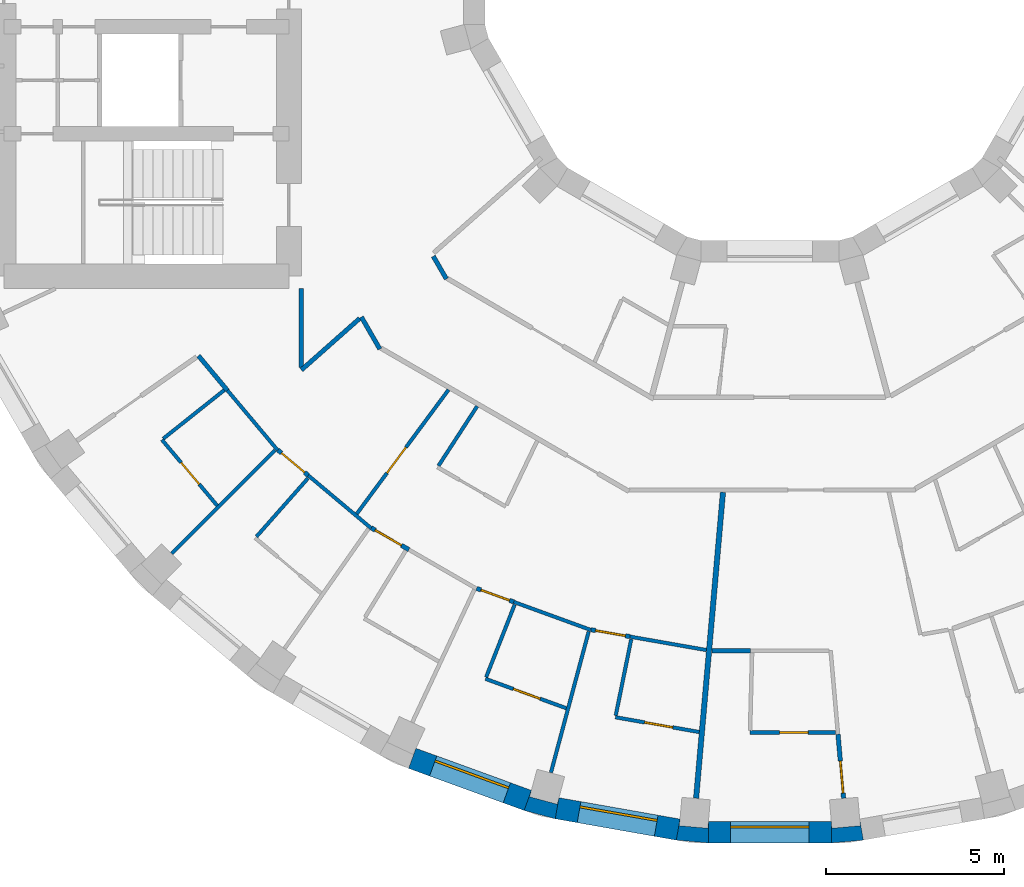
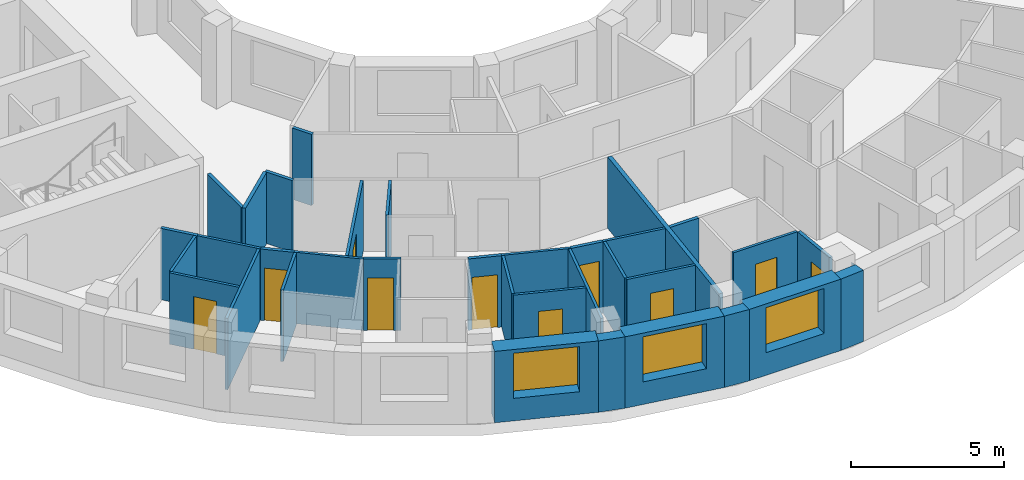
# One storey, part 4 of 14: 34 walls, 10 doors, 3 windows, 13 openings.
"""IFC4 building model written with IfcOpenShell, lengths in metres."""

from ifc_helpers import new_model, si_unit, direction, frame, frame_2d, origin, place, context, subcontext, project, spatial, polyline, rectangle, outline, extrude, material, layer, layer_set, type_object, element, fill, save


model = new_model("IFC4")

# Units and contexts
model_context = context("Model", 3, precision=1e-05, world=origin(), true_north=direction((0.0, 1.0)))
body_context = subcontext(model_context, "Body", "Model", "MODEL_VIEW")
ifc_project = project(units=[si_unit("LENGTHUNIT", "METRE"), si_unit("AREAUNIT", "SQUARE_METRE"), si_unit("VOLUMEUNIT", "CUBIC_METRE"), si_unit("PLANEANGLEUNIT", "RADIAN"), si_unit("MASSUNIT", "GRAM", prefix="KILO")], contexts=[model_context])

# Site, building, storey
site_placement = place(None, origin())
site = spatial("IfcSite", under=ifc_project, at=site_placement, CompositionType="ELEMENT")
building_placement = place(site_placement, origin())
building = spatial("IfcBuilding", under=site, at=building_placement, Name="Saqina Gate Tower", CompositionType="ELEMENT")
storey_placement = place(building_placement, frame((0.0, 0.0, 210.300048828125)))
storey = spatial("IfcBuildingStorey", under=building, at=storey_placement, Name="L60", CompositionType="ELEMENT", Elevation=210.300048828125)

# Walls
ifc_material_1 = material(Name="Brick masonry (buff)", Category="masonry")
wall_type_1 = type_object("IfcWallType", Name="BRICK PIER COPING BUFF", PredefinedType="SOLIDWALL", material=ifc_material_1)
wall_1_placement = place(storey_placement, origin())
element("IfcWall", 1, at=wall_1_placement, inside=storey, type_object=wall_type_1, Name="Pier cap L60 column 26", PredefinedType="SOLIDWALL", context=body_context, shape_type="SweptSolid", body=[
    extrude(outline(polyline([(-6.0234375, -24.22705078125), (-5.919189453125, -23.635986328125), (-5.967529296875, -23.81689453125), (-6.740478515625, -23.610107421875), (-6.69189453125, -23.428955078125), (-6.897216796875, -23.992919921875), (-6.0234375, -24.22705078125)])), origin(), (0.0, 0.0, 1.0), 2.849853515625),
])
wall_2_placement = place(storey_placement, origin())
element("IfcWall", 2, at=wall_2_placement, inside=storey, type_object=wall_type_1, Name="Pier cap L60 column 27", PredefinedType="SOLIDWALL", context=body_context, shape_type="SweptSolid", body=[
    extrude(outline(polyline([(-2.6259765625, -24.825927734375), (-1.724853515625, -24.90478515625), (-1.724853515625, -24.304931640625), (-1.7412109375, -24.491455078125), (-2.5380859375, -24.421630859375), (-2.521728515625, -24.235107421875), (-2.6259765625, -24.825927734375)])), origin(), (0.0, 0.0, 1.0), 2.849853515625),
])
wall_3_placement = place(storey_placement, origin())
element("IfcWall", 3, at=wall_3_placement, inside=storey, type_object=wall_type_1, Name="Pier cap L60 column 28", PredefinedType="SOLIDWALL", context=body_context, shape_type="SweptSolid", body=[
    extrude(outline(polyline([(1.724853515625, -24.90478515625), (2.6259765625, -24.825927734375), (2.521728515625, -24.235107421875), (2.5380859375, -24.421630859375), (1.7412109375, -24.491455078125), (1.724853515625, -24.304931640625), (1.724853515625, -24.90478515625)])), origin(), (0.0, 0.0, 1.0), 2.849853515625),
])

# Wall, opening, window
ifc_material_2 = material(Name="Brick masonry (buff)", Category="masonry")
ifc_layer_1 = layer(ifc_material_2, 0.60009765625)
ifc_layer_set_1 = layer_set([ifc_layer_1], Name="FW-BRICK-BUFF")
wall_type_2 = type_object("IfcWallType", Name="FW-BRICK-BUFF", PredefinedType="SOLIDWALL", material=ifc_layer_set_1)
wall_4_placement = place(storey_placement, frame((-10.0361328125, -22.531005859375, 0.0), z_axis=(0.0, 0.0, 1.0), x_axis=(0.93968799822, -0.342032843455, 0.0)))
wall_4 = element("IfcWall", 4, at=wall_4_placement, inside=storey, type_object=wall_type_2, Name="Facade wall L60 facet 25", PredefinedType="SOLIDWALL", context=body_context, shape_type="SweptSolid", body=[
    extrude(rectangle(XDim=3.44970703125, YDim=0.60009765625, at=frame_2d((1.724853515625, 0.0))), origin(), (0.0, 0.0, 1.0), 2.849853515625),
])
opening_1_placement = place(wall_4_placement, frame((0.625, 0.0, 0.89990234375)))
opening_1 = element("IfcOpeningElement", 5, at=opening_1_placement, cuts=wall_4, Name="Opening G18-W14", PredefinedType="OPENING", context=body_context, shape_type="SweptSolid", body=[
    extrude(rectangle(XDim=2.199951171875, YDim=1.800048828125, at=frame_2d((1.10009765625, 0.89990234375))), frame((0.0, 0.31201171875, 0.0), z_axis=(0.0, -1.0, 0.0), x_axis=(1.0, 0.0, 0.0)), (0.0, 0.0, 1.0), 0.6240234375),
])
ifc_material_3 = material(Name="Aluminium glazing", Category="aluminium")
window_type = type_object("IfcWindowType", Name="WN-C", PartitioningType="SINGLE_PANEL", PredefinedType="WINDOW", material=ifc_material_3)
window_1_placement = place(opening_1_placement, origin())
window_1 = element("IfcWindow", 6, at=window_1_placement, inside=storey, type_object=window_type, Name="Window L60 facet 25", OverallHeight=1.800048828125, OverallWidth=2.199951171875, PartitioningType="SINGLE_PANEL", PredefinedType="WINDOW", context=body_context, shape_type="SweptSolid", body=[
    extrude(rectangle(XDim=2.199951171875, YDim=1.800048828125, at=frame_2d((1.10009765625, 0.89990234375))), frame((0.0, 0.179931640625, 0.0), z_axis=(0.0, -1.0, 0.0), x_axis=(1.0, 0.0, 0.0)), (0.0, 0.0, 1.0), 0.06005859375),
])
fill(opening_1, window_1)

wall_5_placement = place(storey_placement, frame((-5.97119140625, -23.931640625, 0.0), z_axis=(0.0, 0.0, 1.0), x_axis=(0.984814892183, -0.173607684551, 0.0)))
wall_5 = element("IfcWall", 7, at=wall_5_placement, inside=storey, type_object=wall_type_2, Name="Facade wall L60 facet 26", PredefinedType="SOLIDWALL", context=body_context, shape_type="SweptSolid", body=[
    extrude(rectangle(XDim=3.44970703125, YDim=0.60009765625, at=frame_2d((1.724853515625, 0.0))), origin(), (0.0, 0.0, 1.0), 2.849853515625),
])
opening_2_placement = place(wall_5_placement, frame((0.625, 0.0, 0.89990234375)))
opening_2 = element("IfcOpeningElement", 8, at=opening_2_placement, cuts=wall_5, Name="Opening G18-W15", PredefinedType="OPENING", context=body_context, shape_type="SweptSolid", body=[
    extrude(rectangle(XDim=2.199951171875, YDim=1.800048828125, at=frame_2d((1.10009765625, 0.89990234375))), frame((0.0, 0.31201171875, 0.0), z_axis=(0.0, -1.0, 0.0), x_axis=(1.0, 0.0, 0.0)), (0.0, 0.0, 1.0), 0.6240234375),
])
window_2_placement = place(opening_2_placement, origin())
window_2 = element("IfcWindow", 9, at=window_2_placement, inside=storey, type_object=window_type, Name="Window L60 facet 26", OverallHeight=1.800048828125, OverallWidth=2.199951171875, PartitioningType="SINGLE_PANEL", PredefinedType="WINDOW", context=body_context, shape_type="SweptSolid", body=[
    extrude(rectangle(XDim=2.199951171875, YDim=1.800048828125, at=frame_2d((1.10009765625, 0.89990234375))), frame((0.0, 0.179931640625, 0.0), z_axis=(0.0, -1.0, 0.0), x_axis=(1.0, 0.0, 0.0)), (0.0, 0.0, 1.0), 0.06005859375),
])
fill(opening_2, window_2)

wall_6_placement = place(storey_placement, frame((-1.724853515625, -24.60498046875, 0.0), z_axis=(0.0, 0.0, 1.0), x_axis=(1.0, 0.0, 0.0)))
wall_6 = element("IfcWall", 10, at=wall_6_placement, inside=storey, type_object=wall_type_2, Name="Facade wall L60 facet 27", PredefinedType="SOLIDWALL", context=body_context, shape_type="SweptSolid", body=[
    extrude(rectangle(XDim=3.44970703125, YDim=0.60009765625, at=frame_2d((1.724853515625, 0.0))), origin(), (0.0, 0.0, 1.0), 2.849853515625),
])
opening_3_placement = place(wall_6_placement, frame((0.625, 0.0, 0.89990234375)))
opening_3 = element("IfcOpeningElement", 11, at=opening_3_placement, cuts=wall_6, Name="Opening G18-W16", PredefinedType="OPENING", context=body_context, shape_type="SweptSolid", body=[
    extrude(rectangle(XDim=2.199951171875, YDim=1.800048828125, at=frame_2d((1.10009765625, 0.89990234375))), frame((0.0, 0.31201171875, 0.0), z_axis=(0.0, -1.0, 0.0), x_axis=(1.0, 0.0, 0.0)), (0.0, 0.0, 1.0), 0.6240234375),
])
window_3_placement = place(opening_3_placement, origin())
window_3 = element("IfcWindow", 12, at=window_3_placement, inside=storey, type_object=window_type, Name="Window L60 facet 27", OverallHeight=1.800048828125, OverallWidth=2.199951171875, PartitioningType="SINGLE_PANEL", PredefinedType="WINDOW", context=body_context, shape_type="SweptSolid", body=[
    extrude(rectangle(XDim=2.199951171875, YDim=1.800048828125, at=frame_2d((1.10009765625, 0.89990234375))), frame((0.0, 0.179931640625, 0.0), z_axis=(0.0, -1.0, 0.0), x_axis=(1.0, 0.0, 0.0)), (0.0, 0.0, 1.0), 0.06005859375),
])
fill(opening_3, window_3)

# Wall, opening, door
ifc_material_4 = material(Name="Gypsum board on steel studs, 100 mm", Category="steel")
ifc_layer_2 = layer(ifc_material_4, 0.10009765625)
ifc_layer_set_2 = layer_set([ifc_layer_2], Name="PARTITION 100")
wall_type_3 = type_object("IfcWallType", Name="PARTITION 100", PredefinedType="PARTITIONING", material=ifc_layer_set_2)
wall_7_placement = place(storey_placement, frame((-17.06103515625, -13.589111328125, 0.0), z_axis=(0.0, 0.0, 1.0), x_axis=(0.642786493814, -0.766045379446, 0.0)))
wall_7 = element("IfcWall", 13, at=wall_7_placement, inside=storey, type_object=wall_type_3, Name="PARTITION PW3-15", PredefinedType="PARTITIONING", context=body_context, shape_type="SweptSolid", body=[
    extrude(rectangle(XDim=2.41455078125, YDim=0.10009765625, at=frame_2d((1.207275390625, 0.0))), origin(), (0.0, 0.0, 1.0), 2.849853515625),
])
opening_4_placement = place(wall_7_placement, frame((0.832275390625, 0.0, 0.0)))
opening_4 = element("IfcOpeningElement", 14, at=opening_4_placement, cuts=wall_7, Name="Opening G18-D27", PredefinedType="OPENING", context=body_context, shape_type="SweptSolid", body=[
    extrude(rectangle(XDim=0.800048828125, YDim=2.10009765625, at=frame_2d((0.39990234375, 1.050048828125))), frame((0.0, 0.06201171875, 0.0), z_axis=(0.0, -1.0, 0.0), x_axis=(1.0, 0.0, 0.0)), (0.0, 0.0, 1.0), 0.1240234375),
])
ifc_material_5 = material(Name="Timber door leaf, 800 mm", Category="wood")
door_type_1 = type_object("IfcDoorType", Name="DOOR 800 TIMBER", OperationType="SINGLE_SWING_LEFT", PredefinedType="DOOR", material=ifc_material_5)
door_1_placement = place(opening_4_placement, frame((0.800048828125, 0.0, 0.0), z_axis=(0.0, 0.0, 1.0), x_axis=(-1.0, 0.0, 0.0)))
door_1 = element("IfcDoor", 15, at=door_1_placement, inside=storey, type_object=door_type_1, Name="DOOR G18-D27", OperationType="SINGLE_SWING_LEFT", OverallHeight=2.10009765625, OverallWidth=0.800048828125, PredefinedType="DOOR", context=body_context, shape_type="SweptSolid", body=[
    extrude(rectangle(XDim=0.800048828125, YDim=2.10009765625, at=frame_2d((0.39990234375, 1.050048828125))), frame((0.0, 0.02490234375, 0.0), z_axis=(0.0, -1.0, 0.0), x_axis=(1.0, 0.0, 0.0)), (0.0, 0.0, 1.0), 0.050048828125),
])
fill(opening_4, door_1)

# Walls
wall_8_placement = place(storey_placement, frame((-15.221923828125, -12.203857421875, 0.0), z_axis=(0.0, 0.0, 1.0), x_axis=(0.642719704672, -0.766101417063, 0.0)))
element("IfcWall", 16, at=wall_8_placement, inside=storey, type_object=wall_type_3, Name="PARTITION PW3-16", PredefinedType="PARTITIONING", context=body_context, shape_type="SweptSolid", body=[
    extrude(rectangle(XDim=2.1943359375, YDim=0.10009765625, at=frame_2d((1.09716796875, 0.0))), origin(), (0.0, 0.0, 1.0), 2.849853515625),
])
wall_9_placement = place(storey_placement, frame((-12.957275390625, -14.5888671875, 0.0), z_axis=(0.0, 0.0, 1.0), x_axis=(0.766099024104, -0.642722556993, 0.0)))
element("IfcWall", 17, at=wall_9_placement, inside=storey, type_object=wall_type_3, Name="PARTITION PW3-22", PredefinedType="PARTITIONING", context=body_context, shape_type="SweptSolid", body=[
    extrude(rectangle(XDim=2.305419921875, YDim=0.10009765625, at=frame_2d((1.15283203125, 0.0))), origin(), (0.0, 0.0, 1.0), 2.849853515625),
])

# Wall, opening, door
wall_10_placement = place(storey_placement, frame((-7.98095703125, -20.299072265625, 0.0), z_axis=(0.0, 0.0, 1.0), x_axis=(0.939692991858, -0.342019123812, 0.0)))
wall_10 = element("IfcWall", 18, at=wall_10_placement, inside=storey, type_object=wall_type_3, Name="PARTITION PW3-34", PredefinedType="PARTITIONING", context=body_context, shape_type="SweptSolid", body=[
    extrude(rectangle(XDim=2.4140625, YDim=0.10009765625, at=frame_2d((1.20703125, 0.0))), origin(), (0.0, 0.0, 1.0), 2.849853515625),
])
opening_5_placement = place(wall_10_placement, frame((0.832275390625, 0.0, 0.0)))
opening_5 = element("IfcOpeningElement", 19, at=opening_5_placement, cuts=wall_10, Name="Opening G18-D38", PredefinedType="OPENING", context=body_context, shape_type="SweptSolid", body=[
    extrude(rectangle(XDim=0.800048828125, YDim=2.10009765625, at=frame_2d((0.39990234375, 1.050048828125))), frame((0.0, 0.06201171875, 0.0), z_axis=(0.0, -1.0, 0.0), x_axis=(1.0, 0.0, 0.0)), (0.0, 0.0, 1.0), 0.1240234375),
])
door_2_placement = place(opening_5_placement, frame((0.800048828125, 0.0, 0.0), z_axis=(0.0, 0.0, 1.0), x_axis=(-1.0, 0.0, 0.0)))
door_2 = element("IfcDoor", 20, at=door_2_placement, inside=storey, type_object=door_type_1, Name="DOOR G18-D38", OperationType="SINGLE_SWING_LEFT", OverallHeight=2.10009765625, OverallWidth=0.800048828125, PredefinedType="DOOR", context=body_context, shape_type="SweptSolid", body=[
    extrude(rectangle(XDim=0.800048828125, YDim=2.10009765625, at=frame_2d((0.39990234375, 1.050048828125))), frame((0.0, 0.02490234375, 0.0), z_axis=(0.0, -1.0, 0.0), x_axis=(1.0, 0.0, 0.0)), (0.0, 0.0, 1.0), 0.050048828125),
])
fill(opening_5, door_2)

# Wall
wall_11_placement = place(storey_placement, frame((-7.18603515625, -18.140869140625, 0.0), z_axis=(0.0, 0.0, 1.0), x_axis=(0.939651079277, -0.342134256123, 0.0)))
element("IfcWall", 21, at=wall_11_placement, inside=storey, type_object=wall_type_3, Name="PARTITION PW3-35", PredefinedType="PARTITIONING", context=body_context, shape_type="SweptSolid", body=[
    extrude(rectangle(XDim=2.304931640625, YDim=0.10009765625, at=frame_2d((1.15234375, 0.0))), origin(), (0.0, 0.0, 1.0), 2.849853515625),
])

# Wall, opening, door
wall_12_placement = place(storey_placement, frame((-4.3349609375, -21.376953125, 0.0), z_axis=(0.0, 0.0, 1.0), x_axis=(0.984797956456, -0.173703727534, 0.0)))
wall_12 = element("IfcWall", 22, at=wall_12_placement, inside=storey, type_object=wall_type_3, Name="PARTITION PW3-38", PredefinedType="PARTITIONING", context=body_context, shape_type="SweptSolid", body=[
    extrude(rectangle(XDim=2.389404296875, YDim=0.10009765625, at=frame_2d((1.19482421875, 0.0))), origin(), (0.0, 0.0, 1.0), 2.849853515625),
])
opening_6_placement = place(wall_12_placement, frame((0.832275390625, 0.0, 0.0)))
opening_6 = element("IfcOpeningElement", 23, at=opening_6_placement, cuts=wall_12, Name="Opening G18-D40", PredefinedType="OPENING", context=body_context, shape_type="SweptSolid", body=[
    extrude(rectangle(XDim=0.800048828125, YDim=2.10009765625, at=frame_2d((0.39990234375, 1.050048828125))), frame((0.0, 0.06201171875, 0.0), z_axis=(0.0, -1.0, 0.0), x_axis=(1.0, 0.0, 0.0)), (0.0, 0.0, 1.0), 0.1240234375),
])
door_3_placement = place(opening_6_placement, frame((0.800048828125, 0.0, 0.0), z_axis=(0.0, 0.0, 1.0), x_axis=(-1.0, 0.0, 0.0)))
door_3 = element("IfcDoor", 24, at=door_3_placement, inside=storey, type_object=door_type_1, Name="DOOR G18-D40", OperationType="SINGLE_SWING_LEFT", OverallHeight=2.10009765625, OverallWidth=0.800048828125, PredefinedType="DOOR", context=body_context, shape_type="SweptSolid", body=[
    extrude(rectangle(XDim=0.800048828125, YDim=2.10009765625, at=frame_2d((0.39990234375, 1.050048828125))), frame((0.0, 0.02490234375, 0.0), z_axis=(0.0, -1.0, 0.0), x_axis=(1.0, 0.0, 0.0)), (0.0, 0.0, 1.0), 0.050048828125),
])
fill(opening_6, door_3)

# Wall
wall_13_placement = place(storey_placement, frame((-3.926513671875, -19.11474609375, 0.0), z_axis=(0.0, 0.0, 1.0), x_axis=(0.984911838823, -0.173056839643, 0.0)))
element("IfcWall", 25, at=wall_13_placement, inside=storey, type_object=wall_type_3, Name="PARTITION PW3-39", PredefinedType="PARTITIONING", context=body_context, shape_type="SweptSolid", body=[
    extrude(rectangle(XDim=2.1796875, YDim=0.10009765625, at=frame_2d((1.08984375, 0.0))), origin(), (0.0, 0.0, 1.0), 2.849853515625),
])

# Wall, opening, door
wall_14_placement = place(storey_placement, frame((-0.556884765625, -21.804931640625, 0.0), z_axis=(0.0, 0.0, 1.0), x_axis=(1.0, 0.0, 0.0)))
wall_14 = element("IfcWall", 26, at=wall_14_placement, inside=storey, type_object=wall_type_3, Name="PARTITION PW3-42", PredefinedType="PARTITIONING", context=body_context, shape_type="SweptSolid", body=[
    extrude(rectangle(XDim=2.40234375, YDim=0.10009765625, at=frame_2d((1.201171875, 0.0))), origin(), (0.0, 0.0, 1.0), 2.849853515625),
])
opening_7_placement = place(wall_14_placement, frame((0.83251953125, 0.0, 0.0)))
opening_7 = element("IfcOpeningElement", 27, at=opening_7_placement, cuts=wall_14, Name="Opening G18-D43", PredefinedType="OPENING", context=body_context, shape_type="SweptSolid", body=[
    extrude(rectangle(XDim=0.800048828125, YDim=2.10009765625, at=frame_2d((0.39990234375, 1.050048828125))), frame((0.0, 0.06201171875, 0.0), z_axis=(0.0, -1.0, 0.0), x_axis=(1.0, 0.0, 0.0)), (0.0, 0.0, 1.0), 0.1240234375),
])
door_4_placement = place(opening_7_placement, frame((0.800048828125, 0.0, 0.0), z_axis=(0.0, 0.0, 1.0), x_axis=(-1.0, 0.0, 0.0)))
door_4 = element("IfcDoor", 28, at=door_4_placement, inside=storey, type_object=door_type_1, Name="DOOR G18-D43", OperationType="SINGLE_SWING_LEFT", OverallHeight=2.10009765625, OverallWidth=0.800048828125, PredefinedType="DOOR", context=body_context, shape_type="SweptSolid", body=[
    extrude(rectangle(XDim=0.800048828125, YDim=2.10009765625, at=frame_2d((0.39990234375, 1.050048828125))), frame((0.0, 0.02490234375, 0.0), z_axis=(0.0, -1.0, 0.0), x_axis=(1.0, 0.0, 0.0)), (0.0, 0.0, 1.0), 0.050048828125),
])
fill(opening_7, door_4)

# Walls
wall_15_placement = place(storey_placement, frame((-17.02197265625, -13.557861328125, 0.0), z_axis=(0.0, 0.0, 1.0), x_axis=(0.782195530376, 0.623033026621, 0.0)))
element("IfcWall", 29, at=wall_15_placement, inside=storey, type_object=wall_type_3, Name="PARTITION PW3-61", PredefinedType="PARTITIONING", context=body_context, shape_type="SweptSolid", body=[
    extrude(rectangle(XDim=2.187255859375, YDim=0.10009765625, at=frame_2d((1.09375, 0.0))), origin(), (0.0, 0.0, 1.0), 2.849853515625),
])
wall_16_placement = place(storey_placement, frame((-16.78662109375, -16.78662109375, 0.0), z_axis=(0.0, 0.0, 1.0), x_axis=(0.707106781187, 0.707106781187, 0.0)))
element("IfcWall", 30, at=wall_16_placement, inside=storey, type_object=wall_type_3, Name="PARTITION PW3-65", PredefinedType="PARTITIONING", context=body_context, shape_type="SweptSolid", body=[
    extrude(rectangle(XDim=4.09765625, YDim=0.10009765625, at=frame_2d((2.048828125, 0.0))), origin(), (0.0, 0.0, 1.0), 2.849853515625),
])
wall_17_placement = place(storey_placement, frame((-14.408935546875, -16.30859375, 0.0), z_axis=(0.0, 0.0, 1.0), x_axis=(0.661846667472, 0.749639239072, 0.0)))
element("IfcWall", 31, at=wall_17_placement, inside=storey, type_object=wall_type_3, Name="PARTITION PW3-69", PredefinedType="PARTITIONING", context=body_context, shape_type="SweptSolid", body=[
    extrude(rectangle(XDim=2.1884765625, YDim=0.10009765625, at=frame_2d((1.09423828125, 0.0))), origin(), (0.0, 0.0, 1.0), 2.849853515625),
])

# Wall, opening, door
wall_18_placement = place(storey_placement, frame((-11.592529296875, -15.666748046875, 0.0), z_axis=(0.0, 0.0, 1.0), x_axis=(0.594790535758, 0.803880724096, 0.0)))
wall_18 = element("IfcWall", 32, at=wall_18_placement, inside=storey, type_object=wall_type_3, Name="PARTITION PW3-71", PredefinedType="PARTITIONING", context=body_context, shape_type="SweptSolid", body=[
    extrude(rectangle(XDim=4.32958984375, YDim=0.10009765625, at=frame_2d((2.164794921875, 0.0))), origin(), (0.0, 0.0, 1.0), 2.849853515625),
])
opening_8_placement = place(wall_18_placement, frame((1.421142578125, 0.0, 0.0)))
opening_8 = element("IfcOpeningElement", 33, at=opening_8_placement, cuts=wall_18, Name="Opening G18-D30", PredefinedType="OPENING", context=body_context, shape_type="SweptSolid", body=[
    extrude(rectangle(XDim=0.89990234375, YDim=2.10009765625, at=frame_2d((0.449951171875, 1.050048828125))), frame((0.0, 0.06201171875, 0.0), z_axis=(0.0, -1.0, 0.0), x_axis=(1.0, 0.0, 0.0)), (0.0, 0.0, 1.0), 0.1240234375),
])
ifc_material_6 = material(Name="Timber door leaf, 900 mm", Category="wood")
door_type_2 = type_object("IfcDoorType", Name="DOOR 900 TIMBER", OperationType="SINGLE_SWING_LEFT", PredefinedType="DOOR", material=ifc_material_6)
door_5_placement = place(opening_8_placement, origin())
door_5 = element("IfcDoor", 34, at=door_5_placement, inside=storey, type_object=door_type_2, Name="DOOR G18-D30", OperationType="SINGLE_SWING_LEFT", OverallHeight=2.10009765625, OverallWidth=0.89990234375, PredefinedType="DOOR", context=body_context, shape_type="SweptSolid", body=[
    extrude(rectangle(XDim=0.89990234375, YDim=2.10009765625, at=frame_2d((0.449951171875, 1.050048828125))), frame((0.0, 0.02490234375, 0.0), z_axis=(0.0, -1.0, 0.0), x_axis=(1.0, 0.0, 0.0)), (0.0, 0.0, 1.0), 0.050048828125),
])
fill(opening_8, door_5)

# Walls
wall_19_placement = place(storey_placement, frame((-9.298828125, -14.319091796875, 0.0), z_axis=(0.0, 0.0, 1.0), x_axis=(0.544496746538, 0.838762954004, 0.0)))
element("IfcWall", 35, at=wall_19_placement, inside=storey, type_object=wall_type_3, Name="PARTITION PW3-74", PredefinedType="PARTITIONING", context=body_context, shape_type="SweptSolid", body=[
    extrude(rectangle(XDim=1.990234375, YDim=0.10009765625, at=frame_2d((0.9951171875, 0.0))), origin(), (0.0, 0.0, 1.0), 2.849853515625),
])
wall_20_placement = place(storey_placement, frame((-7.962646484375, -20.25244140625, 0.0), z_axis=(0.0, 0.0, 1.0), x_axis=(0.365959579046, 0.930630746593, 0.0)))
element("IfcWall", 36, at=wall_20_placement, inside=storey, type_object=wall_type_3, Name="PARTITION PW3-82", PredefinedType="PARTITIONING", context=body_context, shape_type="SweptSolid", body=[
    extrude(rectangle(XDim=2.188232421875, YDim=0.10009765625, at=frame_2d((1.09423828125, 0.0))), origin(), (0.0, 0.0, 1.0), 2.849853515625),
])
wall_21_placement = place(storey_placement, frame((-6.14404296875, -22.93115234375, 0.0), z_axis=(0.0, 0.0, 1.0), x_axis=(0.258608038295, 0.965982340692, 0.0)))
element("IfcWall", 37, at=wall_21_placement, inside=storey, type_object=wall_type_3, Name="PARTITION PW3-86", PredefinedType="PARTITIONING", context=body_context, shape_type="SweptSolid", body=[
    extrude(rectangle(XDim=4.09814453125, YDim=0.10009765625, at=frame_2d((2.049072265625, 0.0))), origin(), (0.0, 0.0, 1.0), 2.849853515625),
])
wall_22_placement = place(storey_placement, frame((-4.324951171875, -21.327880859375, 0.0), z_axis=(0.0, 0.0, 1.0), x_axis=(0.199033137994, 0.979992760167, 0.0)))
element("IfcWall", 38, at=wall_22_placement, inside=storey, type_object=wall_type_3, Name="PARTITION PW3-88", PredefinedType="PARTITIONING", context=body_context, shape_type="SweptSolid", body=[
    extrude(rectangle(XDim=2.188232421875, YDim=0.10009765625, at=frame_2d((1.09423828125, 0.0))), origin(), (0.0, 0.0, 1.0), 2.849853515625),
])

# Wall, opening, door
ifc_material_7 = material(Name="Gypsum board on steel studs, 125 mm, fire rated", Category="steel")
ifc_layer_3 = layer(ifc_material_7, 0.125)
ifc_layer_set_3 = layer_set([ifc_layer_3], Name="PARTITION EI 30 125")
wall_type_4 = type_object("IfcWallType", Name="PARTITION EI 30 125", PredefinedType="PARTITIONING", material=ifc_layer_set_3)
wall_23_placement = place(storey_placement, frame((1.912353515625, -21.854736328125, 0.0), z_axis=(0.0, 0.0, 1.0), x_axis=(0.08726107822, -0.99618547682, 0.0)))
wall_23 = element("IfcWall", 39, at=wall_23_placement, inside=storey, type_object=wall_type_4, Name="PARTITION PW1-02", PredefinedType="PARTITIONING", context=body_context, shape_type="SweptSolid", body=[
    extrude(rectangle(XDim=1.8017578125, YDim=0.125, at=frame_2d((0.90087890625, 0.0))), origin(), (0.0, 0.0, 1.0), 2.849853515625),
])
opening_9_placement = place(wall_23_placement, frame((0.754150390625, 0.0, 0.0)))
opening_9 = element("IfcOpeningElement", 40, at=opening_9_placement, cuts=wall_23, Name="Opening G18-D45", PredefinedType="OPENING", context=body_context, shape_type="SweptSolid", body=[
    extrude(rectangle(XDim=0.89990234375, YDim=2.10009765625, at=frame_2d((0.449951171875, 1.050048828125))), frame((0.0, 0.074462890625, 0.0), z_axis=(0.0, -1.0, 0.0), x_axis=(1.0, 0.0, 0.0)), (0.0, 0.0, 1.0), 0.14892578125),
])
ifc_material_8 = material(Name="Fire door leaf EI 30, 900 mm")
door_type_3 = type_object("IfcDoorType", Name="DOOR 900 EI 30", OperationType="SINGLE_SWING_LEFT", PredefinedType="DOOR", material=ifc_material_8)
door_6_placement = place(opening_9_placement, origin())
door_6 = element("IfcDoor", 41, at=door_6_placement, inside=storey, type_object=door_type_3, Name="DOOR G18-D45", OperationType="SINGLE_SWING_RIGHT", OverallHeight=2.10009765625, OverallWidth=0.89990234375, PredefinedType="DOOR", context=body_context, shape_type="SweptSolid", body=[
    extrude(rectangle(XDim=0.89990234375, YDim=2.10009765625, at=frame_2d((0.449951171875, 1.050048828125))), frame((0.0, 0.02490234375, 0.0), z_axis=(0.0, -1.0, 0.0), x_axis=(1.0, 0.0, 0.0)), (0.0, 0.0, 1.0), 0.050048828125),
])
fill(opening_9, door_6)

# Walls
wall_24_placement = place(storey_placement, frame((-11.464111328125, -10.143798828125, 0.0), z_axis=(0.0, 0.0, 1.0), x_axis=(0.49896979131, -0.866619378597, 0.0)))
element("IfcWall", 42, at=wall_24_placement, inside=storey, type_object=wall_type_4, Name="PARTITION PW1-04", PredefinedType="PARTITIONING", context=body_context, shape_type="SweptSolid", body=[
    extrude(rectangle(XDim=1.039306640625, YDim=0.125, at=frame_2d((0.51953125, 0.0))), origin(), (0.0, 0.0, 1.0), 2.849853515625),
])
wall_25_placement = place(storey_placement, frame((-9.44580078125, -8.439208984375, 0.0), z_axis=(0.0, 0.0, 1.0), x_axis=(0.500735785949, -0.865600180609, 0.0)))
element("IfcWall", 43, at=wall_25_placement, inside=storey, type_object=wall_type_4, Name="PARTITION PW1-06", PredefinedType="PARTITIONING", context=body_context, shape_type="SweptSolid", body=[
    extrude(rectangle(XDim=0.73681640625, YDim=0.125, at=frame_2d((0.368408203125, 0.0))), origin(), (0.0, 0.0, 1.0), 2.849853515625),
])
wall_26_placement = place(storey_placement, frame((-16.0361328125, -11.23193359375, 0.0), z_axis=(0.0, 0.0, 1.0), x_axis=(0.641754990355, -0.766909728948, 0.0)))
element("IfcWall", 44, at=wall_26_placement, inside=storey, type_object=wall_type_4, Name="PARTITION PW1-08", PredefinedType="PARTITIONING", context=body_context, shape_type="SweptSolid", body=[
    extrude(rectangle(XDim=1.26806640625, YDim=0.125, at=frame_2d((0.634033203125, 0.0))), origin(), (0.0, 0.0, 1.0), 2.849853515625),
])

# Wall, opening, door
wall_27_placement = place(storey_placement, frame((-13.8056640625, -13.8779296875, 0.0), z_axis=(0.0, 0.0, 1.0), x_axis=(0.766464721633, -0.642286408459, 0.0)))
wall_27 = element("IfcWall", 45, at=wall_27_placement, inside=storey, type_object=wall_type_4, Name="PARTITION PW1-15", PredefinedType="PARTITIONING", context=body_context, shape_type="SweptSolid", body=[
    extrude(rectangle(XDim=1.10693359375, YDim=0.125, at=frame_2d((0.553466796875, 0.0))), origin(), (0.0, 0.0, 1.0), 2.849853515625),
])
opening_10_placement = place(wall_27_placement, frame((0.12841796875, 0.0, 0.0)))
opening_10 = element("IfcOpeningElement", 46, at=opening_10_placement, cuts=wall_27, Name="Opening G18-D28", PredefinedType="OPENING", context=body_context, shape_type="SweptSolid", body=[
    extrude(rectangle(XDim=0.85009765625, YDim=2.10009765625, at=frame_2d((0.425048828125, 1.050048828125))), frame((0.0, 0.074462890625, 0.0), z_axis=(0.0, -1.0, 0.0), x_axis=(1.0, 0.0, 0.0)), (0.0, 0.0, 1.0), 0.14892578125),
])
ifc_material_9 = material(Name="Fire door leaf EI 30, 850 mm")
door_type_4 = type_object("IfcDoorType", Name="DOOR 850 EI 30", OperationType="SINGLE_SWING_LEFT", PredefinedType="DOOR", material=ifc_material_9)
door_7_placement = place(opening_10_placement, origin())
door_7 = element("IfcDoor", 47, at=door_7_placement, inside=storey, type_object=door_type_4, Name="DOOR G18-D28", OperationType="SINGLE_SWING_LEFT", OverallHeight=2.10009765625, OverallWidth=0.85009765625, PredefinedType="DOOR", context=body_context, shape_type="SweptSolid", body=[
    extrude(rectangle(XDim=0.85009765625, YDim=2.10009765625, at=frame_2d((0.425048828125, 1.050048828125))), frame((0.0, 0.02490234375, 0.0), z_axis=(0.0, -1.0, 0.0), x_axis=(1.0, 0.0, 0.0)), (0.0, 0.0, 1.0), 0.050048828125),
])
fill(opening_10, door_7)

wall_28_placement = place(storey_placement, frame((-11.186279296875, -16.062255859375, 0.0), z_axis=(0.0, 0.0, 1.0), x_axis=(0.865261949816, -0.501320015759, 0.0)))
wall_28 = element("IfcWall", 48, at=wall_28_placement, inside=storey, type_object=wall_type_4, Name="PARTITION PW1-18", PredefinedType="PARTITIONING", context=body_context, shape_type="SweptSolid", body=[
    extrude(rectangle(XDim=1.220947265625, YDim=0.125, at=frame_2d((0.6103515625, 0.0))), origin(), (0.0, 0.0, 1.0), 2.849853515625),
])
opening_11_placement = place(wall_28_placement, frame((0.129150390625, 0.0, 0.0)))
opening_11 = element("IfcOpeningElement", 49, at=opening_11_placement, cuts=wall_28, Name="Opening G18-D31", PredefinedType="OPENING", context=body_context, shape_type="SweptSolid", body=[
    extrude(rectangle(XDim=0.85009765625, YDim=2.10009765625, at=frame_2d((0.425048828125, 1.050048828125))), frame((0.0, 0.074462890625, 0.0), z_axis=(0.0, -1.0, 0.0), x_axis=(1.0, 0.0, 0.0)), (0.0, 0.0, 1.0), 0.14892578125),
])
door_8_placement = place(opening_11_placement, origin())
door_8 = element("IfcDoor", 50, at=door_8_placement, inside=storey, type_object=door_type_4, Name="DOOR G18-D31", OperationType="SINGLE_SWING_LEFT", OverallHeight=2.10009765625, OverallWidth=0.85009765625, PredefinedType="DOOR", context=body_context, shape_type="SweptSolid", body=[
    extrude(rectangle(XDim=0.85009765625, YDim=2.10009765625, at=frame_2d((0.425048828125, 1.050048828125))), frame((0.0, 0.02490234375, 0.0), z_axis=(0.0, -1.0, 0.0), x_axis=(1.0, 0.0, 0.0)), (0.0, 0.0, 1.0), 0.050048828125),
])
fill(opening_11, door_8)

wall_29_placement = place(storey_placement, frame((-8.22802734375, -17.761962890625, 0.0), z_axis=(0.0, 0.0, 1.0), x_axis=(0.939793423488, -0.341743063087, 0.0)))
wall_29 = element("IfcWall", 51, at=wall_29_placement, inside=storey, type_object=wall_type_4, Name="PARTITION PW1-23", PredefinedType="PARTITIONING", context=body_context, shape_type="SweptSolid", body=[
    extrude(rectangle(XDim=1.108642578125, YDim=0.125, at=frame_2d((0.55419921875, 0.0))), origin(), (0.0, 0.0, 1.0), 2.849853515625),
])
opening_12_placement = place(wall_29_placement, frame((0.12939453125, 0.0, 0.0)))
opening_12 = element("IfcOpeningElement", 52, at=opening_12_placement, cuts=wall_29, Name="Opening G18-D36", PredefinedType="OPENING", context=body_context, shape_type="SweptSolid", body=[
    extrude(rectangle(XDim=0.85009765625, YDim=2.10009765625, at=frame_2d((0.425048828125, 1.050048828125))), frame((0.0, 0.074462890625, 0.0), z_axis=(0.0, -1.0, 0.0), x_axis=(1.0, 0.0, 0.0)), (0.0, 0.0, 1.0), 0.14892578125),
])
door_9_placement = place(opening_12_placement, origin())
door_9 = element("IfcDoor", 53, at=door_9_placement, inside=storey, type_object=door_type_4, Name="DOOR G18-D36", OperationType="SINGLE_SWING_LEFT", OverallHeight=2.10009765625, OverallWidth=0.85009765625, PredefinedType="DOOR", context=body_context, shape_type="SweptSolid", body=[
    extrude(rectangle(XDim=0.85009765625, YDim=2.10009765625, at=frame_2d((0.425048828125, 1.050048828125))), frame((0.0, 0.02490234375, 0.0), z_axis=(0.0, -1.0, 0.0), x_axis=(1.0, 0.0, 0.0)), (0.0, 0.0, 1.0), 0.050048828125),
])
fill(opening_12, door_9)

wall_30_placement = place(storey_placement, frame((-5.018798828125, -18.920654296875, 0.0), z_axis=(0.0, 0.0, 1.0), x_axis=(0.984810132848, -0.173634680406, 0.0)))
wall_30 = element("IfcWall", 54, at=wall_30_placement, inside=storey, type_object=wall_type_4, Name="PARTITION PW1-25", PredefinedType="PARTITIONING", context=body_context, shape_type="SweptSolid", body=[
    extrude(rectangle(XDim=1.109375, YDim=0.125, at=frame_2d((0.5546875, 0.0))), origin(), (0.0, 0.0, 1.0), 2.849853515625),
])
opening_13_placement = place(wall_30_placement, frame((0.129638671875, 0.0, 0.0)))
opening_13 = element("IfcOpeningElement", 55, at=opening_13_placement, cuts=wall_30, Name="Opening G18-D39", PredefinedType="OPENING", context=body_context, shape_type="SweptSolid", body=[
    extrude(rectangle(XDim=0.85009765625, YDim=2.10009765625, at=frame_2d((0.425048828125, 1.050048828125))), frame((0.0, 0.074462890625, 0.0), z_axis=(0.0, -1.0, 0.0), x_axis=(1.0, 0.0, 0.0)), (0.0, 0.0, 1.0), 0.14892578125),
])
door_10_placement = place(opening_13_placement, origin())
door_10 = element("IfcDoor", 56, at=door_10_placement, inside=storey, type_object=door_type_4, Name="DOOR G18-D39", OperationType="SINGLE_SWING_LEFT", OverallHeight=2.10009765625, OverallWidth=0.85009765625, PredefinedType="DOOR", context=body_context, shape_type="SweptSolid", body=[
    extrude(rectangle(XDim=0.85009765625, YDim=2.10009765625, at=frame_2d((0.425048828125, 1.050048828125))), frame((0.0, 0.02490234375, 0.0), z_axis=(0.0, -1.0, 0.0), x_axis=(1.0, 0.0, 0.0)), (0.0, 0.0, 1.0), 0.050048828125),
])
fill(opening_13, door_10)

# Walls
wall_31_placement = place(storey_placement, frame((-1.6298828125, -19.5048828125, 0.0), z_axis=(0.0, 0.0, 1.0), x_axis=(1.0, 0.0, 0.0)))
element("IfcWall", 57, at=wall_31_placement, inside=storey, type_object=wall_type_4, Name="PARTITION PW1-27", PredefinedType="PARTITIONING", context=body_context, shape_type="SweptSolid", body=[
    extrude(rectangle(XDim=1.081787109375, YDim=0.125, at=frame_2d((0.541015625, 0.0))), origin(), (0.0, 0.0, 1.0), 2.849853515625),
])
wall_32_placement = place(storey_placement, frame((-13.14697265625, -11.63134765625, 0.0), z_axis=(0.0, 0.0, 1.0), x_axis=(0.74894960679, 0.66262695877, 0.0)))
element("IfcWall", 58, at=wall_32_placement, inside=storey, type_object=wall_type_4, Name="PARTITION PW1-42", PredefinedType="PARTITIONING", context=body_context, shape_type="SweptSolid", body=[
    extrude(rectangle(XDim=2.183349609375, YDim=0.125, at=frame_2d((1.091796875, 0.0))), origin(), (0.0, 0.0, 1.0), 2.849853515625),
])
wall_33_placement = place(storey_placement, frame((-13.14990234375, -11.5673828125, 0.0), z_axis=(0.0, 0.0, 1.0), x_axis=(0.0, 1.0, 0.0)))
element("IfcWall", 59, at=wall_33_placement, inside=storey, type_object=wall_type_4, Name="PARTITION PW1-52", PredefinedType="PARTITIONING", context=body_context, shape_type="SweptSolid", body=[
    extrude(rectangle(XDim=2.21630859375, YDim=0.125, at=frame_2d((1.108154296875, 0.0))), origin(), (0.0, 0.0, 1.0), 2.849853515625),
])
ifc_material_10 = material(Name="Gypsum board on steel studs, 150 mm, fire rated", Category="steel")
ifc_layer_4 = layer(ifc_material_10, 0.14990234375)
ifc_layer_set_4 = layer_set([ifc_layer_4], Name="PARTITION EI 60 150")
wall_type_5 = type_object("IfcWallType", Name="PARTITION EI 60 150", PredefinedType="PARTITIONING", material=ifc_layer_set_4)
wall_34_placement = place(storey_placement, frame((-2.06982421875, -23.649658203125, 0.0), z_axis=(0.0, 0.0, 1.0), x_axis=(0.087486308122, 0.996165722102, 0.0)))
element("IfcWall", 60, at=wall_34_placement, inside=storey, type_object=wall_type_5, Name="PARTITION PW2-06", PredefinedType="PARTITIONING", context=body_context, shape_type="SweptSolid", body=[
    extrude(rectangle(XDim=8.6201171875, YDim=0.14990234375, at=frame_2d((4.31005859375, 0.0))), origin(), (0.0, 0.0, 1.0), 2.849853515625),
])

save(model, "model.ifc")
